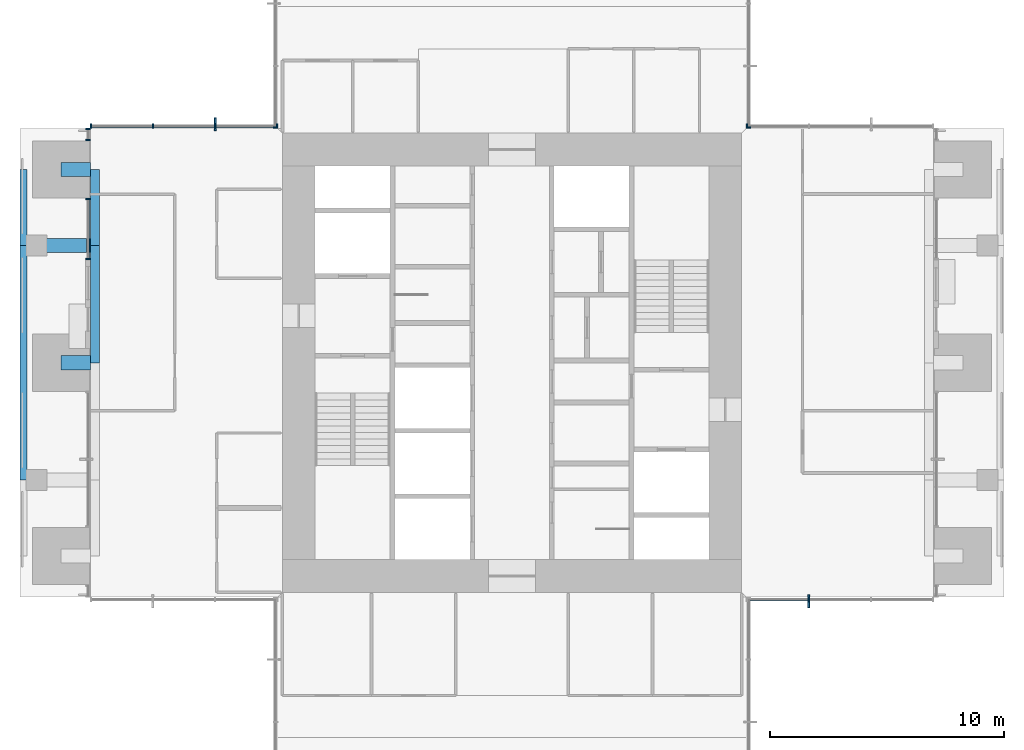
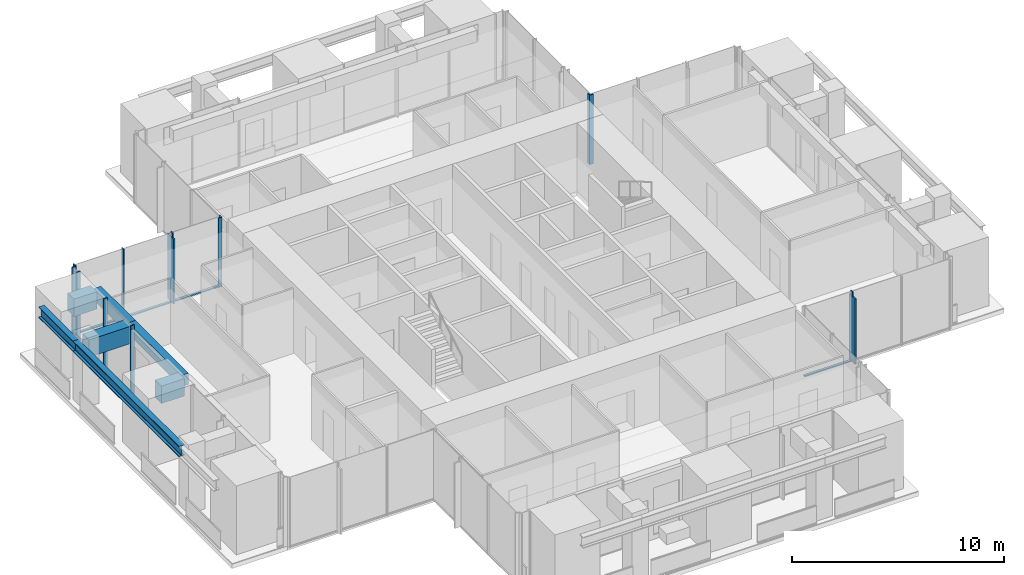
# One storey, part 3 of 17: 19 members, 7 beams, 7 elements without a shape of their own.
"""IFC4 building model written with IfcOpenShell, lengths in metres."""

from ifc_helpers import new_model, si_unit, direction, frame, origin, origin_2d, place, context, subcontext, project, spatial, rectangle, i_section, extrude, material, material_profile, profile_set, type_object, element, aggregate, save


model = new_model("IFC4")

# Units and contexts
model_context = context("Model", 3, precision=1e-05, world=origin(), true_north=direction((0.0, 1.0)))
body_context = subcontext(model_context, "Body", "Model", "MODEL_VIEW")
ifc_project = project(units=[si_unit("LENGTHUNIT", "METRE"), si_unit("AREAUNIT", "SQUARE_METRE"), si_unit("VOLUMEUNIT", "CUBIC_METRE"), si_unit("PLANEANGLEUNIT", "RADIAN"), si_unit("MASSUNIT", "GRAM", prefix="KILO")], contexts=[model_context])

# Site, building, storey
site_placement = place(None, origin())
site = spatial("IfcSite", under=ifc_project, at=site_placement, CompositionType="ELEMENT")
building_placement = place(site_placement, origin())
building = spatial("IfcBuilding", under=site, at=building_placement, Name="Svetlomir Tower", CompositionType="ELEMENT")
storey_placement = place(building_placement, frame((0.0, 0.0, 206.5)))
storey = spatial("IfcBuildingStorey", under=building, at=storey_placement, Name="L49", CompositionType="ELEMENT", Elevation=206.5)

# Curtain wall, member
ifc_material_1 = material(Name="Bronze anodised aluminium curtain wall", Category="aluminium")
curtain_wall_type = type_object("IfcCurtainWallType", Name="CURTAIN WALL CW1 TOWER OFFICE", PredefinedType="NOTDEFINED", material=ifc_material_1)
curtain_wall_1_placement = place(storey_placement, origin())
curtain_wall_1 = element("IfcCurtainWall", 1, at=curtain_wall_1_placement, inside=storey, type_object=curtain_wall_type, Name="Curtain wall CW1 L49", PredefinedType="NOTDEFINED")
ifc_material_2 = material(Name="Bronze anodised aluminium", Category="aluminium")
ifc_material_profile_1 = material_profile(ifc_material_2, rectangle(XDim=0.080078125, YDim=0.550048828125, at=origin_2d()), Name="FIN 80x550")
ifc_profile_set_1 = profile_set([ifc_material_profile_1], Name="Bronze anodised aluminium 6063-T6")
member_type_1 = type_object("IfcMemberType", Name="BRONZE FIN 80x550", PredefinedType="USERDEFINED", material=ifc_profile_set_1)
member_1_placement = place(storey_placement, frame((33.666748046875, 10.824951171875, 0.0), z_axis=(0.0, 0.0, 1.0), x_axis=(1.0, 0.0, 0.0)))
member_1 = element("IfcMember", 2, at=member_1_placement, type_object=member_type_1, Name="Bronze fin L49", ObjectType="FIN", PredefinedType="USERDEFINED", context=body_context, shape_type="SweptSolid", body=[
    extrude(rectangle(XDim=0.080078125, YDim=0.550048828125, at=origin_2d()), origin(), (0.0, 0.0, 1.0), 3.75),
])

curtain_wall_2_placement = place(storey_placement, origin())
curtain_wall_2 = element("IfcCurtainWall", 3, at=curtain_wall_2_placement, inside=storey, type_object=curtain_wall_type, Name="Curtain wall CW1 L49", PredefinedType="NOTDEFINED")
member_2_placement = place(storey_placement, frame((8.333251953125, 31.175048828125, 0.0), z_axis=(0.0, 0.0, 1.0), x_axis=(1.0, 0.0, 0.0)))
member_2 = element("IfcMember", 4, at=member_2_placement, type_object=member_type_1, Name="Bronze fin L49", ObjectType="FIN", PredefinedType="USERDEFINED", context=body_context, shape_type="SweptSolid", body=[
    extrude(rectangle(XDim=0.080078125, YDim=0.550048828125, at=origin_2d()), origin(), (0.0, 0.0, 1.0), 3.75),
])

# Member
ifc_material_3 = material(Name="Bronze anodised aluminium", Category="aluminium")
ifc_material_profile_2 = material_profile(ifc_material_3, rectangle(XDim=0.06494140625, YDim=0.199951171875, at=origin_2d()), Name="AL 65x200")
ifc_profile_set_2 = profile_set([ifc_material_profile_2], Name="Bronze anodised aluminium 6063-T6")
member_type_2 = type_object("IfcMemberType", Name="CW1 MULLION 65x200", PredefinedType="MULLION", material=ifc_profile_set_2)
member_3_placement = place(storey_placement, frame((33.666748046875, 10.89990234375, 0.0), z_axis=(0.0, 0.0, 1.0), x_axis=(1.0, 0.0, 0.0)))
member_3 = element("IfcMember", 5, at=member_3_placement, type_object=member_type_2, Name="CW1 mullion 2", PredefinedType="MULLION", context=body_context, shape_type="SweptSolid", body=[
    extrude(rectangle(XDim=0.06494140625, YDim=0.199951171875, at=origin_2d()), origin(), (0.0, 0.0, 1.0), 4.0),
])

# Curtain wall, member
curtain_wall_3_placement = place(storey_placement, origin())
curtain_wall_3 = element("IfcCurtainWall", 6, at=curtain_wall_3_placement, inside=storey, type_object=curtain_wall_type, Name="Curtain wall CW1 L49", PredefinedType="NOTDEFINED")
member_4_placement = place(storey_placement, frame((31.032470703125, 31.10009765625, 0.0), z_axis=(0.0, 0.0, 1.0), x_axis=(-1.0, 0.0, 0.0)))
member_4 = element("IfcMember", 7, at=member_4_placement, type_object=member_type_2, Name="CW1 mullion 4", PredefinedType="MULLION", context=body_context, shape_type="SweptSolid", body=[
    extrude(rectangle(XDim=0.06494140625, YDim=0.199951171875, at=origin_2d()), origin(), (0.0, 0.0, 1.0), 4.0),
])
aggregate(curtain_wall_3, [member_4])

curtain_wall_4_placement = place(storey_placement, origin())
curtain_wall_4 = element("IfcCurtainWall", 8, at=curtain_wall_4_placement, inside=storey, type_object=curtain_wall_type, Name="Curtain wall CW1 L49", PredefinedType="NOTDEFINED")
member_5_placement = place(storey_placement, frame((31.10009765625, 31.032470703125, 0.0), z_axis=(0.0, 0.0, 1.0), x_axis=(0.0, 1.0, 0.0)))
member_5 = element("IfcMember", 9, at=member_5_placement, type_object=member_type_2, Name="CW1 mullion 1", PredefinedType="MULLION", context=body_context, shape_type="SweptSolid", body=[
    extrude(rectangle(XDim=0.06494140625, YDim=0.199951171875, at=origin_2d()), origin(), (0.0, 0.0, 1.0), 4.0),
])
aggregate(curtain_wall_4, [member_5])

curtain_wall_5_placement = place(storey_placement, origin())
curtain_wall_5 = element("IfcCurtainWall", 10, at=curtain_wall_5_placement, inside=storey, type_object=curtain_wall_type, Name="Curtain wall CW1 L49", PredefinedType="NOTDEFINED")
member_6_placement = place(storey_placement, frame((10.89990234375, 31.032470703125, 0.0), z_axis=(0.0, 0.0, 1.0), x_axis=(0.0, -1.0, 0.0)))
member_6 = element("IfcMember", 11, at=member_6_placement, type_object=member_type_2, Name="CW1 mullion 4", PredefinedType="MULLION", context=body_context, shape_type="SweptSolid", body=[
    extrude(rectangle(XDim=0.06494140625, YDim=0.199951171875, at=origin_2d()), origin(), (0.0, 0.0, 1.0), 4.0),
])
aggregate(curtain_wall_5, [member_6])

# Member
member_7_placement = place(storey_placement, frame((10.967529296875, 31.10009765625, 0.0), z_axis=(0.0, 0.0, 1.0), x_axis=(-1.0, 0.0, 0.0)))
member_7 = element("IfcMember", 12, at=member_7_placement, type_object=member_type_2, Name="CW1 mullion 1", PredefinedType="MULLION", context=body_context, shape_type="SweptSolid", body=[
    extrude(rectangle(XDim=0.06494140625, YDim=0.199951171875, at=origin_2d()), origin(), (0.0, 0.0, 1.0), 4.0),
])

member_8_placement = place(storey_placement, frame((8.333251953125, 31.10009765625, 0.0), z_axis=(0.0, 0.0, 1.0), x_axis=(-1.0, 0.0, 0.0)))
member_8 = element("IfcMember", 13, at=member_8_placement, type_object=member_type_2, Name="CW1 mullion 2", PredefinedType="MULLION", context=body_context, shape_type="SweptSolid", body=[
    extrude(rectangle(XDim=0.06494140625, YDim=0.199951171875, at=origin_2d()), origin(), (0.0, 0.0, 1.0), 4.0),
])

member_9_placement = place(storey_placement, frame((5.666748046875, 31.10009765625, 0.0), z_axis=(0.0, 0.0, 1.0), x_axis=(-1.0, 0.0, 0.0)))
member_9 = element("IfcMember", 14, at=member_9_placement, type_object=member_type_2, Name="CW1 mullion 3", PredefinedType="MULLION", context=body_context, shape_type="SweptSolid", body=[
    extrude(rectangle(XDim=0.06494140625, YDim=0.199951171875, at=origin_2d()), origin(), (0.0, 0.0, 1.0), 4.0),
])

member_10_placement = place(storey_placement, frame((3.032470703125, 31.10009765625, 0.0), z_axis=(0.0, 0.0, 1.0), x_axis=(-1.0, 0.0, 0.0)))
member_10 = element("IfcMember", 15, at=member_10_placement, type_object=member_type_2, Name="CW1 mullion 4", PredefinedType="MULLION", context=body_context, shape_type="SweptSolid", body=[
    extrude(rectangle(XDim=0.06494140625, YDim=0.199951171875, at=origin_2d()), origin(), (0.0, 0.0, 1.0), 4.0),
])

# Curtain wall, members
curtain_wall_6_placement = place(storey_placement, origin())
curtain_wall_6 = element("IfcCurtainWall", 16, at=curtain_wall_6_placement, inside=storey, type_object=curtain_wall_type, Name="Curtain wall CW1 L49", PredefinedType="NOTDEFINED")
member_11_placement = place(storey_placement, frame((2.89990234375, 30.967529296875, 0.0), z_axis=(0.0, 0.0, 1.0), x_axis=(0.0, -1.0, 0.0)))
member_11 = element("IfcMember", 17, at=member_11_placement, type_object=member_type_2, Name="CW1 mullion 1", PredefinedType="MULLION", context=body_context, shape_type="SweptSolid", body=[
    extrude(rectangle(XDim=0.06494140625, YDim=0.199951171875, at=origin_2d()), origin(), (0.0, 0.0, 1.0), 4.0),
])
member_12_placement = place(storey_placement, frame((2.89990234375, 30.507568359375, 0.0), z_axis=(0.0, 0.0, 1.0), x_axis=(0.0, -1.0, 0.0)))
member_12 = element("IfcMember", 18, at=member_12_placement, type_object=member_type_2, Name="CW1 mullion 2", PredefinedType="MULLION", context=body_context, shape_type="SweptSolid", body=[
    extrude(rectangle(XDim=0.06494140625, YDim=0.199951171875, at=origin_2d()), origin(), (0.0, 0.0, 1.0), 4.0),
])
aggregate(curtain_wall_6, [member_11, member_12])

curtain_wall_7_placement = place(storey_placement, origin())
curtain_wall_7 = element("IfcCurtainWall", 19, at=curtain_wall_7_placement, inside=storey, type_object=curtain_wall_type, Name="Curtain wall CW1 L49", PredefinedType="NOTDEFINED")
member_13_placement = place(storey_placement, frame((2.89990234375, 27.992431640625, 0.0), z_axis=(0.0, 0.0, 1.0), x_axis=(0.0, -1.0, 0.0)))
member_13 = element("IfcMember", 20, at=member_13_placement, type_object=member_type_2, Name="CW1 mullion 1", PredefinedType="MULLION", context=body_context, shape_type="SweptSolid", body=[
    extrude(rectangle(XDim=0.06494140625, YDim=0.199951171875, at=origin_2d()), origin(), (0.0, 0.0, 1.0), 4.0),
])
member_14_placement = place(storey_placement, frame((2.89990234375, 25.4326171875, 0.0), z_axis=(0.0, 0.0, 1.0), x_axis=(0.0, -1.0, 0.0)))
member_14 = element("IfcMember", 21, at=member_14_placement, type_object=member_type_2, Name="CW1 mullion 2", PredefinedType="MULLION", context=body_context, shape_type="SweptSolid", body=[
    extrude(rectangle(XDim=0.06494140625, YDim=0.199951171875, at=origin_2d()), origin(), (0.0, 0.0, 1.0), 4.0),
])

# Member
ifc_material_4 = material(Name="Bronze anodised aluminium", Category="aluminium")
ifc_material_profile_3 = material_profile(ifc_material_4, rectangle(XDim=0.139892578125, YDim=0.06494140625, at=origin_2d()), Name="AL 140x65")
ifc_profile_set_3 = profile_set([ifc_material_profile_3], Name="Bronze anodised aluminium 6063-T6")
member_type_3 = type_object("IfcMemberType", Name="CW1 TRANSOM 65x140", PredefinedType="USERDEFINED", material=ifc_profile_set_3)
member_15_placement = place(storey_placement, frame((31.06494140625, 10.89990234375, 0.032470703125), z_axis=(1.0, 0.0, 0.0), x_axis=(0.0, 1.0, 0.0)))
member_15 = element("IfcMember", 22, at=member_15_placement, type_object=member_type_3, Name="CW1 transom 1.1", ObjectType="TRANSOM", PredefinedType="USERDEFINED", context=body_context, shape_type="SweptSolid", body=[
    extrude(rectangle(XDim=0.139892578125, YDim=0.06494140625, at=origin_2d()), origin(), (0.0, 0.0, 1.0), 2.5693359375),
])

aggregate(curtain_wall_1, [member_3, member_15, member_1])

member_16_placement = place(storey_placement, frame((10.93505859375, 31.10009765625, 0.032470703125), z_axis=(-1.0, 0.0, 0.0), x_axis=(0.0, -1.0, 0.0)))
member_16 = element("IfcMember", 23, at=member_16_placement, type_object=member_type_3, Name="CW1 transom 1.1", ObjectType="TRANSOM", PredefinedType="USERDEFINED", context=body_context, shape_type="SweptSolid", body=[
    extrude(rectangle(XDim=0.139892578125, YDim=0.06494140625, at=origin_2d()), origin(), (0.0, 0.0, 1.0), 2.5693359375),
])

member_17_placement = place(storey_placement, frame((8.30078125, 31.10009765625, 0.032470703125), z_axis=(-1.0, 0.0, 0.0), x_axis=(0.0, -1.0, 0.0)))
member_17 = element("IfcMember", 24, at=member_17_placement, type_object=member_type_3, Name="CW1 transom 2.1", ObjectType="TRANSOM", PredefinedType="USERDEFINED", context=body_context, shape_type="SweptSolid", body=[
    extrude(rectangle(XDim=0.139892578125, YDim=0.06494140625, at=origin_2d()), origin(), (0.0, 0.0, 1.0), 2.6015625),
])

member_18_placement = place(storey_placement, frame((5.63427734375, 31.10009765625, 0.032470703125), z_axis=(-1.0, 0.0, 0.0), x_axis=(0.0, -1.0, 0.0)))
member_18 = element("IfcMember", 25, at=member_18_placement, type_object=member_type_3, Name="CW1 transom 3.1", ObjectType="TRANSOM", PredefinedType="USERDEFINED", context=body_context, shape_type="SweptSolid", body=[
    extrude(rectangle(XDim=0.139892578125, YDim=0.06494140625, at=origin_2d()), origin(), (0.0, 0.0, 1.0), 2.5693359375),
])

aggregate(curtain_wall_2, [member_7, member_8, member_9, member_10, member_16, member_17, member_18, member_2])

member_19_placement = place(storey_placement, frame((2.89990234375, 27.9599609375, 0.032470703125), z_axis=(0.0, -1.0, 0.0), x_axis=(1.0, 0.0, 0.0)))
member_19 = element("IfcMember", 26, at=member_19_placement, type_object=member_type_3, Name="CW1 transom 1.1", ObjectType="TRANSOM", PredefinedType="USERDEFINED", context=body_context, shape_type="SweptSolid", body=[
    extrude(rectangle(XDim=0.139892578125, YDim=0.06494140625, at=origin_2d()), origin(), (0.0, 0.0, 1.0), 2.494873046875),
])

aggregate(curtain_wall_7, [member_13, member_14, member_19])

# Beams
ifc_material_5 = material(Name="Steel S355", Category="steel")
ifc_material_profile_4 = material_profile(ifc_material_5, i_section(OverallWidth=0.304931640625, OverallDepth=0.6201171875, WebThickness=0.02099609375, FlangeThickness=0.0400390625, FilletRadius=0.027099609375, at=origin_2d()), Name="HEM 600")
ifc_profile_set_4 = profile_set([ifc_material_profile_4], Name="Steel S355")
beam_type_1 = type_object("IfcBeamType", Name="EDGE BEAM HEM 600", PredefinedType="SPANDREL", material=ifc_profile_set_4)
beam_1_placement = place(storey_placement, frame((0.152587890625, 16.0, 3.43994140625), z_axis=(0.0, 1.0, 0.0), x_axis=(-1.0, 0.0, 0.0)))
element("IfcBeam", 27, at=beam_1_placement, inside=storey, type_object=beam_type_1, Name="Edge beam 0/16 to 0/26 under L50", PredefinedType="SPANDREL", context=body_context, shape_type="SweptSolid", body=[
    extrude(i_section(OverallWidth=0.304931640625, OverallDepth=0.6201171875, WebThickness=0.02099609375, FlangeThickness=0.0400390625, FilletRadius=0.027099609375, at=origin_2d()), origin(), (0.0, 0.0, 1.0), 10.0),
])
beam_2_placement = place(storey_placement, frame((0.152587890625, 26.0, 3.43994140625), z_axis=(0.0, 1.0, 0.0), x_axis=(-1.0, 0.0, 0.0)))
element("IfcBeam", 28, at=beam_2_placement, inside=storey, type_object=beam_type_1, Name="Edge beam 0/26 to 0/31 under L50", PredefinedType="SPANDREL", context=body_context, shape_type="SweptSolid", body=[
    extrude(i_section(OverallWidth=0.304931640625, OverallDepth=0.6201171875, WebThickness=0.02099609375, FlangeThickness=0.0400390625, FilletRadius=0.027099609375, at=origin_2d()), origin(), (0.0, 0.0, 1.0), 3.25),
])
ifc_material_6 = material(Name="Concrete C60/75", Category="concrete")
ifc_material_profile_5 = material_profile(ifc_material_6, rectangle(XDim=0.39990234375, YDim=0.64990234375, at=origin_2d()), Name="RC 400x650")
ifc_profile_set_5 = profile_set([ifc_material_profile_5], Name="Concrete C60/75")
beam_type_2 = type_object("IfcBeamType", Name="FACADE EDGE BEAM RC 400x650", PredefinedType="BEAM", material=ifc_profile_set_5)
beam_3_placement = place(storey_placement, frame((3.199951171875, 21.0, 3.425048828125), z_axis=(0.0, 1.0, 0.0), x_axis=(-1.0, 0.0, 0.0)))
element("IfcBeam", 29, at=beam_3_placement, inside=storey, type_object=beam_type_2, Name="Facade edge beam W 21 to 26 under L50", PredefinedType="BEAM", context=body_context, shape_type="SweptSolid", body=[
    extrude(rectangle(XDim=0.39990234375, YDim=0.64990234375, at=origin_2d()), origin(), (0.0, 0.0, 1.0), 5.0),
])
beam_4_placement = place(storey_placement, frame((3.199951171875, 26.0, 3.425048828125), z_axis=(0.0, 1.0, 0.0), x_axis=(-1.0, 0.0, 0.0)))
element("IfcBeam", 30, at=beam_4_placement, inside=storey, type_object=beam_type_2, Name="Facade edge beam W 26 to 31 under L50", PredefinedType="BEAM", context=body_context, shape_type="SweptSolid", body=[
    extrude(rectangle(XDim=0.39990234375, YDim=0.64990234375, at=origin_2d()), origin(), (0.0, 0.0, 1.0), 3.25),
])
ifc_material_7 = material(Name="Concrete C60/75", Category="concrete")
ifc_material_profile_6 = material_profile(ifc_material_7, rectangle(XDim=0.60009765625, YDim=1.0, at=origin_2d()), Name="RC 600x1000")
ifc_profile_set_6 = profile_set([ifc_material_profile_6], Name="Concrete C60/75")
beam_type_3 = type_object("IfcBeamType", Name="LOGGIA LINK BEAM RC 600x1000", PredefinedType="BEAM", material=ifc_profile_set_6)
beam_5_placement = place(storey_placement, frame((1.75, 21.0, 3.25), z_axis=(1.0, 0.0, 0.0), x_axis=(0.0, 1.0, 0.0)))
element("IfcBeam", 31, at=beam_5_placement, inside=storey, type_object=beam_type_3, Name="Loggia link beam W 21 under L50", PredefinedType="BEAM", context=body_context, shape_type="SweptSolid", body=[
    extrude(rectangle(XDim=0.60009765625, YDim=1.0, at=origin_2d()), origin(), (0.0, 0.0, 1.0), 1.25),
])
beam_6_placement = place(storey_placement, frame((0.699951171875, 26.0, 3.25), z_axis=(1.0, 0.0, 0.0), x_axis=(0.0, 1.0, 0.0)))
element("IfcBeam", 32, at=beam_6_placement, inside=storey, type_object=beam_type_3, Name="Loggia link beam W 26 under L50", PredefinedType="BEAM", context=body_context, shape_type="SweptSolid", body=[
    extrude(rectangle(XDim=0.60009765625, YDim=1.0, at=origin_2d()), origin(), (0.0, 0.0, 1.0), 2.300048828125),
])
beam_7_placement = place(storey_placement, frame((1.75, 29.25, 3.25), z_axis=(1.0, 0.0, 0.0), x_axis=(0.0, 1.0, 0.0)))
element("IfcBeam", 33, at=beam_7_placement, inside=storey, type_object=beam_type_3, Name="Loggia link beam W 31 under L50", PredefinedType="BEAM", context=body_context, shape_type="SweptSolid", body=[
    extrude(rectangle(XDim=0.60009765625, YDim=1.0, at=origin_2d()), origin(), (0.0, 0.0, 1.0), 1.25),
])

save(model, "model.ifc")
